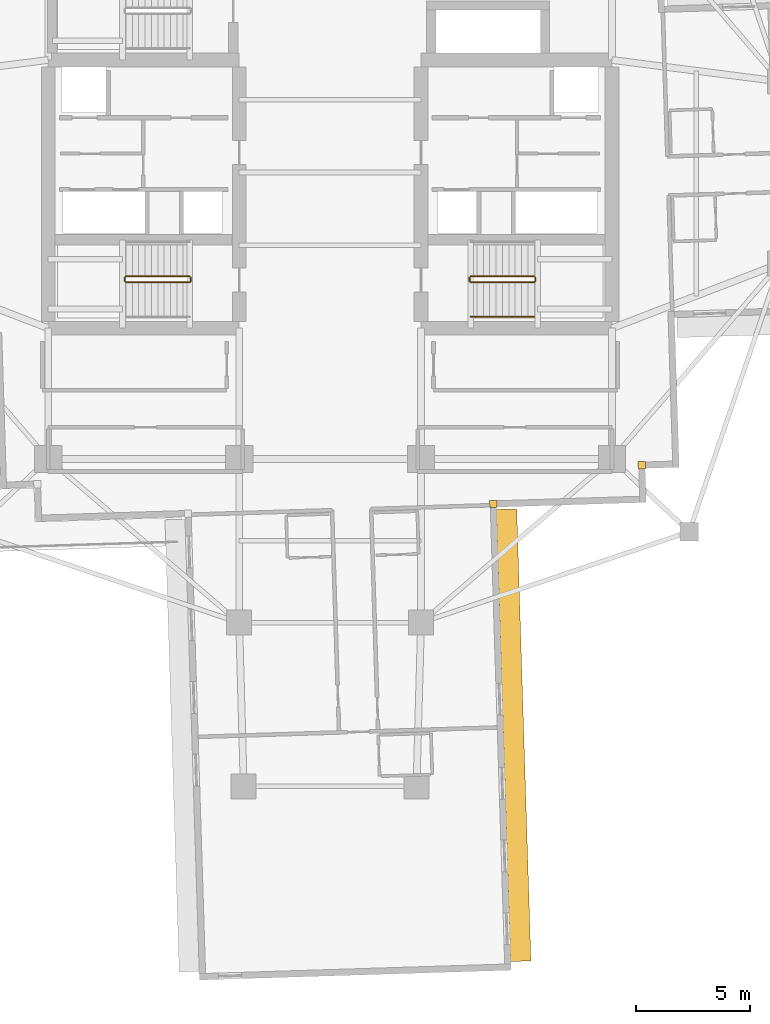
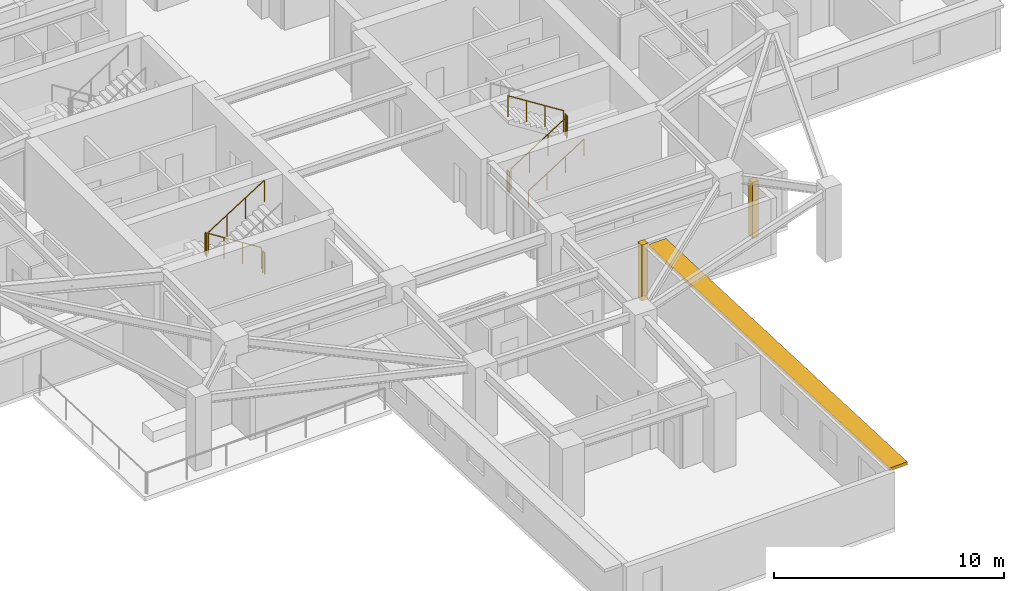
# One storey, part 11 of 14: 9 railings, 2 coverings, 1 shading device.
"""IFC4 building model written with IfcOpenShell, lengths in metres."""

from ifc_helpers import new_model, si_unit, direction, frame, origin, origin_2d, place, context, subcontext, project, spatial, rectangle, circle, extrude, material, layer, layer_set, type_object, element, save


model = new_model("IFC4")

# Units and contexts
model_context = context("Model", 3, precision=1e-05, world=origin(), true_north=direction((0.0, 1.0)))
body_context = subcontext(model_context, "Body", "Model", "MODEL_VIEW")
ifc_project = project(units=[si_unit("LENGTHUNIT", "METRE"), si_unit("AREAUNIT", "SQUARE_METRE"), si_unit("VOLUMEUNIT", "CUBIC_METRE"), si_unit("PLANEANGLEUNIT", "RADIAN"), si_unit("MASSUNIT", "GRAM", prefix="KILO")], contexts=[model_context])

# Site, building, storey
site_placement = place(None, origin())
site = spatial("IfcSite", under=ifc_project, at=site_placement, CompositionType="ELEMENT")
building_placement = place(site_placement, origin())
building = spatial("IfcBuilding", under=site, at=building_placement, Name="Qingluan Cross Belvedere", CompositionType="ELEMENT")
storey_placement = place(building_placement, frame((0.0, 0.0, 112.5)))
storey = spatial("IfcBuildingStorey", under=building, at=storey_placement, Name="L28", CompositionType="ELEMENT", Elevation=112.5)

# Coverings
ifc_material_1 = material(Name="Precast concrete C45", Category="concrete")
ifc_layer_1 = layer(ifc_material_1, 0.1201171875, Name="ConcreteSpandrelCladding_120")
ifc_layer_set_1 = layer_set([ifc_layer_1], Name="Precast concrete C45")
covering_type = type_object("IfcCoveringType", Name="ConcreteSpandrelCladding_120", PredefinedType="CLADDING", material=ifc_layer_set_1)
for number, where, z_axis, x_axis, name in (
    (1, (13.711181640625, -12.875732421875, 0.0), (0.0, 0.0, 1.0), (0.999506560366, 0.031410759078, 0.0), "Corner closure L28-SE1"),
    (2, (7.181640625, -14.58154296875, 0.0), (0.0, 0.0, 1.0), (0.999506560366, 0.031410759078, 0.0), "Corner closure L28-SE2"),
):
    element("IfcCovering", number, at=place(storey_placement, frame(where, z_axis=z_axis, x_axis=x_axis)), inside=storey, type_object=covering_type, Name=name, PredefinedType="CLADDING", context=body_context, shape_type="SweptSolid", body=[
        extrude(rectangle(XDim=0.320068359375, YDim=0.320068359375, at=origin_2d()), origin(), (0.0, 0.0, 1.0), 2.969970703125),
    ])

# Shading device
ifc_material_2 = material(Name="Precast concrete C45", Category="concrete")
ifc_layer_2 = layer(ifc_material_2, 0.159912109375, Name="ConcreteSunshadeBand_900")
ifc_layer_set_2 = layer_set([ifc_layer_2], Name="Precast concrete C45")
shading_device_type = type_object("IfcShadingDeviceType", Name="ConcreteSunshadeBand_900", PredefinedType="USERDEFINED", material=ifc_layer_set_2)
shading_device_placement = place(storey_placement, frame((8.0712890625, -24.74853515625, 2.7900390625), z_axis=(0.0, 0.0, 1.0), x_axis=(-0.031407934627, 0.999506649124, 0.0)))
element("IfcShadingDevice", 3, at=shading_device_placement, inside=storey, type_object=shading_device_type, Name="Concrete SUNSHADE L28-SB", ObjectType="SUNSHADE", PredefinedType="USERDEFINED", context=body_context, shape_type="SweptSolid", body=[
    extrude(rectangle(XDim=19.89990234375, YDim=0.89990234375, at=origin_2d()), origin(), (0.0, 0.0, 1.0), 0.159912109375),
])

# Railings
ifc_material_3 = material(Name="Brushed stainless steel tubular handrail", Category="steel")
railing_type_1 = type_object("IfcRailingType", Name="StairPitchHandrail_900", PredefinedType="HANDRAIL", material=ifc_material_3)
railing_1_placement = place(storey_placement, frame((6.179931640625, -6.35009765625, 0.17724609375)))
element("IfcRailing", 4, at=railing_1_placement, inside=storey, type_object=railing_type_1, Name="L28 ST2 stair handrail 1", PredefinedType="HANDRAIL", context=body_context, shape_type="SweptSolid", body=[
    extrude(circle(Radius=0.02392578125, at=origin_2d()), frame((0.0, 0.0, 0.8759765625), z_axis=(0.844908973607, 0.0, 0.534910110503), x_axis=(0.0, 1.0, 0.0)), (0.0, 0.0, 1.0), 3.31396484375),
    extrude(circle(Radius=0.02099609375, at=origin_2d()), origin(), (0.0, 0.0, 1.0), 0.851806640625),
    extrude(circle(Radius=0.02099609375, at=origin_2d()), frame((0.933349609375, 0.0, 0.5908203125)), (0.0, 0.0, 1.0), 0.851806640625),
    extrude(circle(Radius=0.02099609375, at=origin_2d()), frame((1.86669921875, 0.0, 1.181884765625)), (0.0, 0.0, 1.0), 0.851806640625),
    extrude(circle(Radius=0.02099609375, at=origin_2d()), frame((2.800048828125, 0.0, 1.772705078125)), (0.0, 0.0, 1.0), 0.851806640625),
])
ifc_material_4 = material(Name="Painted steel stair well guard", Category="steel")
railing_type_2 = type_object("IfcRailingType", Name="StairWellGuard_1150", PredefinedType="BALUSTRADE", material=ifc_material_4)
railing_2_placement = place(storey_placement, frame((-6.179931640625, -4.570068359375, 0.17724609375)))
element("IfcRailing", 5, at=railing_2_placement, inside=storey, type_object=railing_type_2, Name="L28 ST1 stair guard 1", PredefinedType="BALUSTRADE", context=body_context, shape_type="SweptSolid", body=[
    extrude(circle(Radius=0.02392578125, at=origin_2d()), frame((0.0, 0.0, 1.1259765625), z_axis=(-0.844908973607, 0.0, 0.534910110503), x_axis=(0.0, -1.0, 0.0)), (0.0, 0.0, 1.0), 3.31396484375),
    extrude(circle(Radius=0.02099609375, at=origin_2d()), origin(), (0.0, 0.0, 1.0), 1.101806640625),
    extrude(circle(Radius=0.02099609375, at=origin_2d()), frame((-0.933349609375, 0.0, 0.5908203125)), (0.0, 0.0, 1.0), 1.101806640625),
    extrude(circle(Radius=0.02099609375, at=origin_2d()), frame((-1.86669921875, 0.0, 1.181884765625)), (0.0, 0.0, 1.0), 1.101806640625),
    extrude(circle(Radius=0.02099609375, at=origin_2d()), frame((-2.800048828125, 0.0, 1.772705078125)), (0.0, 0.0, 1.0), 1.101806640625),
])
railing_3_placement = place(storey_placement, frame((-9.030029296875, -4.6201171875, 1.949951171875)))
element("IfcRailing", 6, at=railing_3_placement, inside=storey, type_object=railing_type_2, Name="L28 ST1 stair guard 2", PredefinedType="BALUSTRADE", context=body_context, shape_type="SweptSolid", body=[
    extrude(circle(Radius=0.02392578125, at=origin_2d()), frame((0.0, 0.0, 1.1259765625), z_axis=(0.0, -1.0, 0.0), x_axis=(1.0, 0.0, 0.0)), (0.0, 0.0, 1.0), 0.159912109375),
    extrude(circle(Radius=0.02099609375, at=origin_2d()), origin(), (0.0, 0.0, 1.0), 1.101806640625),
    extrude(circle(Radius=0.02099609375, at=origin_2d()), frame((0.0, -0.159912109375, 0.0)), (0.0, 0.0, 1.0), 1.101806640625),
])
railing_4_placement = place(storey_placement, frame((-8.97998046875, -4.830078125, 2.127197265625)))
element("IfcRailing", 7, at=railing_4_placement, inside=storey, type_object=railing_type_2, Name="L28 ST1 stair guard 3", PredefinedType="BALUSTRADE", context=body_context, shape_type="SweptSolid", body=[
    extrude(circle(Radius=0.02392578125, at=origin_2d()), frame((0.0, 0.0, 1.1259765625), z_axis=(0.844908973607, 0.0, 0.534910110503), x_axis=(0.0, 1.0, 0.0)), (0.0, 0.0, 1.0), 3.31396484375),
    extrude(circle(Radius=0.02099609375, at=origin_2d()), origin(), (0.0, 0.0, 1.0), 1.101806640625),
    extrude(circle(Radius=0.02099609375, at=origin_2d()), frame((0.933349609375, 0.0, 0.5908203125)), (0.0, 0.0, 1.0), 1.101806640625),
    extrude(circle(Radius=0.02099609375, at=origin_2d()), frame((1.86669921875, 0.0, 1.181884765625)), (0.0, 0.0, 1.0), 1.101806640625),
    extrude(circle(Radius=0.02099609375, at=origin_2d()), frame((2.800048828125, 0.0, 1.772705078125)), (0.0, 0.0, 1.0), 1.101806640625),
])
railing_5_placement = place(storey_placement, frame((-6.1298828125, -4.6201171875, 0.0)))
element("IfcRailing", 8, at=railing_5_placement, inside=storey, type_object=railing_type_2, Name="L28 ST1 stair guard 4", PredefinedType="BALUSTRADE", context=body_context, shape_type="SweptSolid", body=[
    extrude(circle(Radius=0.02392578125, at=origin_2d()), frame((0.0, 0.0, 1.1259765625), z_axis=(0.0, -1.0, 0.0), x_axis=(1.0, 0.0, 0.0)), (0.0, 0.0, 1.0), 0.159912109375),
    extrude(circle(Radius=0.02099609375, at=origin_2d()), origin(), (0.0, 0.0, 1.0), 1.101806640625),
    extrude(circle(Radius=0.02099609375, at=origin_2d()), frame((0.0, -0.159912109375, 0.0)), (0.0, 0.0, 1.0), 1.101806640625),
])
railing_6_placement = place(storey_placement, frame((6.179931640625, -4.830078125, 0.17724609375)))
element("IfcRailing", 9, at=railing_6_placement, inside=storey, type_object=railing_type_2, Name="L28 ST2 stair guard 1", PredefinedType="BALUSTRADE", context=body_context, shape_type="SweptSolid", body=[
    extrude(circle(Radius=0.02392578125, at=origin_2d()), frame((0.0, 0.0, 1.1259765625), z_axis=(0.844908973607, 0.0, 0.534910110503), x_axis=(0.0, 1.0, 0.0)), (0.0, 0.0, 1.0), 3.31396484375),
    extrude(circle(Radius=0.02099609375, at=origin_2d()), origin(), (0.0, 0.0, 1.0), 1.101806640625),
    extrude(circle(Radius=0.02099609375, at=origin_2d()), frame((0.933349609375, 0.0, 0.5908203125)), (0.0, 0.0, 1.0), 1.101806640625),
    extrude(circle(Radius=0.02099609375, at=origin_2d()), frame((1.86669921875, 0.0, 1.181884765625)), (0.0, 0.0, 1.0), 1.101806640625),
    extrude(circle(Radius=0.02099609375, at=origin_2d()), frame((2.800048828125, 0.0, 1.772705078125)), (0.0, 0.0, 1.0), 1.101806640625),
])
railing_7_placement = place(storey_placement, frame((9.030029296875, -4.780029296875, 1.949951171875)))
element("IfcRailing", 10, at=railing_7_placement, inside=storey, type_object=railing_type_2, Name="L28 ST2 stair guard 2", PredefinedType="BALUSTRADE", context=body_context, shape_type="SweptSolid", body=[
    extrude(circle(Radius=0.02392578125, at=origin_2d()), frame((0.0, 0.0, 1.1259765625), z_axis=(0.0, 1.0, 0.0), x_axis=(-1.0, 0.0, 0.0)), (0.0, 0.0, 1.0), 0.159912109375),
    extrude(circle(Radius=0.02099609375, at=origin_2d()), origin(), (0.0, 0.0, 1.0), 1.101806640625),
    extrude(circle(Radius=0.02099609375, at=origin_2d()), frame((0.0, 0.159912109375, 0.0)), (0.0, 0.0, 1.0), 1.101806640625),
])
railing_8_placement = place(storey_placement, frame((8.97998046875, -4.570068359375, 2.127197265625)))
element("IfcRailing", 11, at=railing_8_placement, inside=storey, type_object=railing_type_2, Name="L28 ST2 stair guard 3", PredefinedType="BALUSTRADE", context=body_context, shape_type="SweptSolid", body=[
    extrude(circle(Radius=0.02392578125, at=origin_2d()), frame((0.0, 0.0, 1.1259765625), z_axis=(-0.844908973607, 0.0, 0.534910110503), x_axis=(0.0, -1.0, 0.0)), (0.0, 0.0, 1.0), 3.31396484375),
    extrude(circle(Radius=0.02099609375, at=origin_2d()), origin(), (0.0, 0.0, 1.0), 1.101806640625),
    extrude(circle(Radius=0.02099609375, at=origin_2d()), frame((-0.933349609375, 0.0, 0.5908203125)), (0.0, 0.0, 1.0), 1.101806640625),
    extrude(circle(Radius=0.02099609375, at=origin_2d()), frame((-1.86669921875, 0.0, 1.181884765625)), (0.0, 0.0, 1.0), 1.101806640625),
    extrude(circle(Radius=0.02099609375, at=origin_2d()), frame((-2.800048828125, 0.0, 1.772705078125)), (0.0, 0.0, 1.0), 1.101806640625),
])
railing_9_placement = place(storey_placement, frame((6.1298828125, -4.780029296875, 0.0)))
element("IfcRailing", 12, at=railing_9_placement, inside=storey, type_object=railing_type_2, Name="L28 ST2 stair guard 4", PredefinedType="BALUSTRADE", context=body_context, shape_type="SweptSolid", body=[
    extrude(circle(Radius=0.02392578125, at=origin_2d()), frame((0.0, 0.0, 1.1259765625), z_axis=(0.0, 1.0, 0.0), x_axis=(-1.0, 0.0, 0.0)), (0.0, 0.0, 1.0), 0.159912109375),
    extrude(circle(Radius=0.02099609375, at=origin_2d()), origin(), (0.0, 0.0, 1.0), 1.101806640625),
    extrude(circle(Radius=0.02099609375, at=origin_2d()), frame((0.0, 0.159912109375, 0.0)), (0.0, 0.0, 1.0), 1.101806640625),
])

save(model, "model.ifc")
